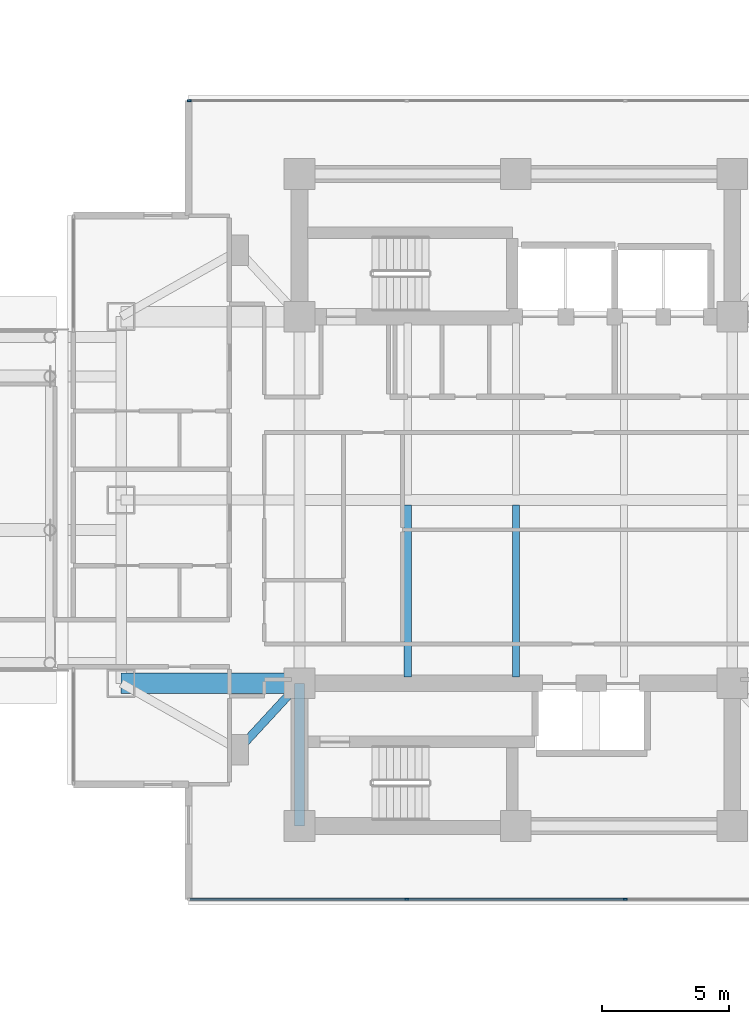
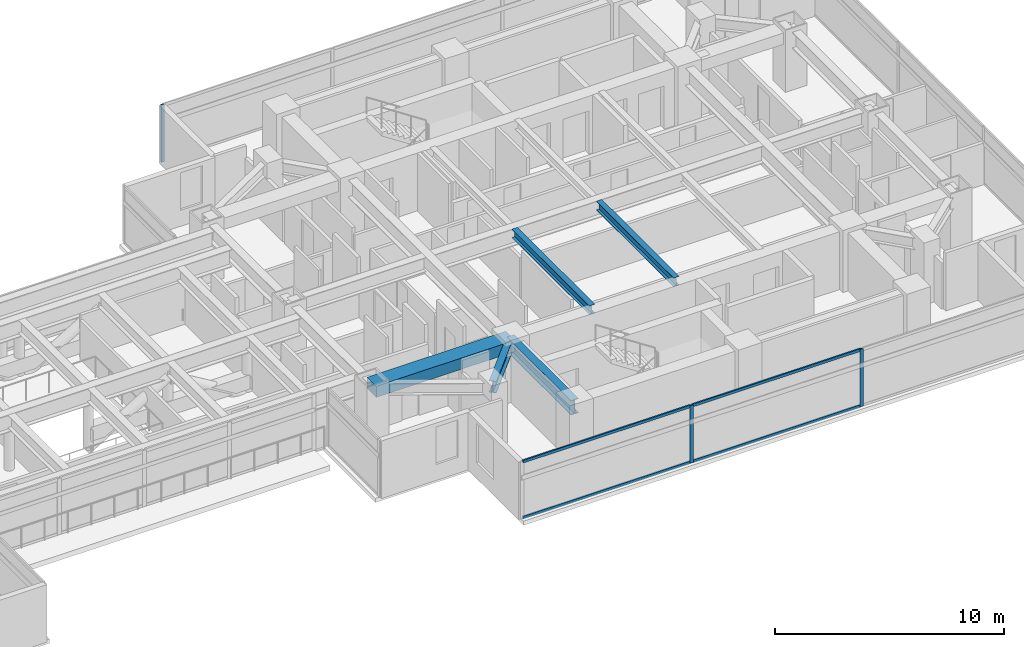
# One storey, part 8 of 28: 7 members, 5 beams, 2 elements without a shape of their own.
"""IFC4 building model written with IfcOpenShell, lengths in metres."""

from ifc_helpers import new_model, si_unit, direction, frame, origin, origin_2d, place, context, subcontext, project, spatial, rectangle, i_section, extrude, material, material_profile, profile_set, type_object, element, aggregate, save


model = new_model("IFC4")

# Units and contexts
model_context = context("Model", 3, precision=1e-05, world=origin(), true_north=direction((0.0, 1.0)))
body_context = subcontext(model_context, "Body", "Model", "MODEL_VIEW")
ifc_project = project(units=[si_unit("LENGTHUNIT", "METRE"), si_unit("AREAUNIT", "SQUARE_METRE"), si_unit("VOLUMEUNIT", "CUBIC_METRE"), si_unit("PLANEANGLEUNIT", "RADIAN"), si_unit("MASSUNIT", "GRAM", prefix="KILO")], contexts=[model_context])

# Site, building, storey
site_placement = place(None, origin())
site = spatial("IfcSite", under=ifc_project, at=site_placement, CompositionType="ELEMENT")
building_placement = place(site_placement, origin())
building = spatial("IfcBuilding", under=site, at=building_placement, Name="Mirazonda Arch Towers", CompositionType="ELEMENT")
storey_placement = place(building_placement, frame((0.0, 0.0, 91.699951171875)))
storey = spatial("IfcBuildingStorey", under=building, at=storey_placement, Name="L25", CompositionType="ELEMENT", Elevation=91.699951171875)

# Beams
ifc_material_1 = material(Name="Steel ASTM A992 Grade 50", Category="steel")
ifc_material_profile_1 = material_profile(ifc_material_1, i_section(OverallWidth=0.280029296875, OverallDepth=0.462890625, WebThickness=0.0107421875, FlangeThickness=0.017333984375, at=origin_2d()), Name="W18X76")
ifc_profile_set_1 = profile_set([ifc_material_profile_1], Name="Steel ASTM A992 Grade 50")
beam_type_1 = type_object("IfcBeamType", Name="BM-INT-W18X76", PredefinedType="JOIST", material=ifc_profile_set_1)
for number, where, z_axis, x_axis, name in (
    (1, (72.25, 21.0400390625, 2.8486328125), (0.0, 1.0, 0.0), (-1.0, 0.0, 0.0), "L25 Floor Beam BM-T2-L25-J-722-20"),
    (2, (76.5, 21.0400390625, 2.8486328125), (0.0, 1.0, 0.0), (-1.0, 0.0, 0.0), "L25 Floor Beam BM-T2-L25-J-765-20"),
):
    element("IfcBeam", number, at=place(storey_placement, frame(where, z_axis=z_axis, x_axis=x_axis)), inside=storey, type_object=beam_type_1, Name=name, PredefinedType="JOIST", context=body_context, shape_type="SweptSolid", body=[
        extrude(i_section(OverallWidth=0.280029296875, OverallDepth=0.462890625, WebThickness=0.0107421875, FlangeThickness=0.017333984375, at=origin_2d()), origin(), (0.0, 0.0, 1.0), 6.7548828125),
    ])
ifc_material_profile_2 = material_profile(ifc_material_1, i_section(OverallWidth=0.324951171875, OverallDepth=0.615966796875, WebThickness=0.013916015625, FlangeThickness=0.021484375, at=origin_2d()), Name="W24X117")
ifc_profile_set_2 = profile_set([ifc_material_profile_2], Name="Steel ASTM A992 Grade 50")
beam_type_2 = type_object("IfcBeamType", Name="BM-INT-W24X117", PredefinedType="BEAM", material=ifc_profile_set_2)
beam_1_placement = place(storey_placement, frame((65.60009765625, 18.199951171875, 2.77197265625), z_axis=(0.678251444854, 0.734829897019, 0.0), x_axis=(-0.734829897019, 0.678251444854, 0.0)))
element("IfcBeam", 3, at=beam_1_placement, inside=storey, type_object=beam_type_2, Name="L25 Floor Beam BM-T2-L25-PL-SW1", PredefinedType="BEAM", context=body_context, shape_type="SweptSolid", body=[
    extrude(i_section(OverallWidth=0.324951171875, OverallDepth=0.615966796875, WebThickness=0.013916015625, FlangeThickness=0.021484375, at=origin_2d()), origin(), (0.0, 0.0, 1.0), 3.538330078125),
])
ifc_material_profile_3 = material_profile(ifc_material_1, i_section(OverallWidth=0.381103515625, OverallDepth=0.77294921875, WebThickness=0.0166015625, FlangeThickness=0.027099609375, at=origin_2d()), Name="W30X173")
ifc_profile_set_3 = profile_set([ifc_material_profile_3], Name="Steel ASTM A992 Grade 50")
beam_type_3 = type_object("IfcBeamType", Name="BM-INT-W30X173", PredefinedType="USERDEFINED", material=ifc_profile_set_3)
beam_2_placement = place(storey_placement, frame((68.0, 15.199951171875, 2.693603515625), z_axis=(0.0, 1.0, 0.0), x_axis=(-1.0, 0.0, 0.0)))
element("IfcBeam", 4, at=beam_2_placement, inside=storey, type_object=beam_type_3, Name="L25 Floor Beam BM-T2-L25-CSW", ObjectType="GIRDER", PredefinedType="USERDEFINED", context=body_context, shape_type="SweptSolid", body=[
    extrude(i_section(OverallWidth=0.381103515625, OverallDepth=0.77294921875, WebThickness=0.0166015625, FlangeThickness=0.027099609375, at=origin_2d()), origin(), (0.0, 0.0, 1.0), 5.60009765625),
])
ifc_material_2 = material(Name="Concrete C60/75", Category="concrete")
ifc_material_profile_4 = material_profile(ifc_material_2, rectangle(XDim=0.800048828125, YDim=0.60009765625, at=origin_2d()), Name="RCCB800x600")
ifc_profile_set_4 = profile_set([ifc_material_profile_4], Name="Concrete C60/75")
beam_type_4 = type_object("IfcBeamType", Name="CB-INT-RCCB800x600", PredefinedType="SPANDREL", material=ifc_profile_set_4)
beam_3_placement = place(storey_placement, frame((61.0, 20.800048828125, 2.780029296875), z_axis=(1.0, 0.0, 0.0), x_axis=(0.0, 1.0, 0.0)))
element("IfcBeam", 5, at=beam_3_placement, inside=storey, type_object=beam_type_4, Name="L25 Floor Beam CBC-T2-L25-SW", PredefinedType="SPANDREL", context=body_context, shape_type="SweptSolid", body=[
    extrude(rectangle(XDim=0.800048828125, YDim=0.60009765625, at=origin_2d()), origin(), (0.0, 0.0, 1.0), 7.0),
])

# Curtain wall, members
ifc_material_3 = material(Name="Anodised Aluminium and Low-E Glass", Category="aluminium")
curtain_wall_type = type_object("IfcCurtainWallType", Name="CW-HTL-UNIT", PredefinedType="NOTDEFINED", material=ifc_material_3)
curtain_wall_1_placement = place(storey_placement, origin())
curtain_wall_1 = element("IfcCurtainWall", 6, at=curtain_wall_1_placement, inside=storey, type_object=curtain_wall_type, Name="L25 T2 S Facade CW-L25-T2-S", PredefinedType="NOTDEFINED")
ifc_material_4 = material(Name="Anodised Aluminium Alloy", Category="aluminium")
ifc_material_profile_5 = material_profile(ifc_material_4, rectangle(XDim=0.074951171875, YDim=0.1650390625, at=origin_2d()), Name="ALU-MULL-75x165")
ifc_profile_set_5 = profile_set([ifc_material_profile_5], Name="Anodised Aluminium Alloy")
member_type_1 = type_object("IfcMemberType", Name="MULL-CW-HTL-UNIT", PredefinedType="MULLION", material=ifc_profile_set_5)
member_1_placement = place(storey_placement, frame((80.7880859375, 12.319091796875, 0.0), z_axis=(0.0, 0.0, 1.0), x_axis=(0.0, -1.0, 0.0)))
member_1 = element("IfcMember", 7, at=member_1_placement, type_object=member_type_1, Name="CW-112 mullion 2", PredefinedType="MULLION", context=body_context, shape_type="SweptSolid", body=[
    extrude(rectangle(XDim=0.074951171875, YDim=0.1650390625, at=origin_2d()), origin(), (0.0, 0.0, 1.0), 3.06005859375),
])
member_2_placement = place(storey_placement, frame((72.2119140625, 12.319091796875, 0.0), z_axis=(0.0, 0.0, 1.0), x_axis=(0.0, -1.0, 0.0)))
member_2 = element("IfcMember", 8, at=member_2_placement, type_object=member_type_1, Name="CW-112 mullion 3", PredefinedType="MULLION", context=body_context, shape_type="SweptSolid", body=[
    extrude(rectangle(XDim=0.074951171875, YDim=0.1650390625, at=origin_2d()), origin(), (0.0, 0.0, 1.0), 3.06005859375),
])

# Curtain wall, member
curtain_wall_2_placement = place(storey_placement, origin())
curtain_wall_2 = element("IfcCurtainWall", 9, at=curtain_wall_2_placement, inside=storey, type_object=curtain_wall_type, Name="L25 T2 N Facade CW-L25-T2-N", PredefinedType="NOTDEFINED")
member_3_placement = place(storey_placement, frame((63.67333984375, 43.680908203125, 0.0), z_axis=(0.0, 0.0, 1.0), x_axis=(0.0, 1.0, 0.0)))
member_3 = element("IfcMember", 10, at=member_3_placement, type_object=member_type_1, Name="CW-112 mullion 1", PredefinedType="MULLION", context=body_context, shape_type="SweptSolid", body=[
    extrude(rectangle(XDim=0.074951171875, YDim=0.1650390625, at=origin_2d()), origin(), (0.0, 0.0, 1.0), 3.06005859375),
])
aggregate(curtain_wall_2, [member_3])

# Member
ifc_material_profile_6 = material_profile(ifc_material_4, rectangle(XDim=0.074951171875, YDim=0.14501953125, at=origin_2d()), Name="ALU-TRAN-75x145")
ifc_profile_set_6 = profile_set([ifc_material_profile_6], Name="Anodised Aluminium Alloy")
member_type_2 = type_object("IfcMemberType", Name="TRAN-CW-HTL-UNIT", PredefinedType="USERDEFINED", material=ifc_profile_set_6)
member_4_placement = place(storey_placement, frame((80.75048828125, 12.319091796875, 0.03759765625), z_axis=(-1.0, 0.0, 0.0), x_axis=(0.0, -1.0, 0.0)))
member_4 = element("IfcMember", 11, at=member_4_placement, type_object=member_type_2, Name="CW-112 transom 2.1", ObjectType="TRANSOM", PredefinedType="USERDEFINED", context=body_context, shape_type="SweptSolid", body=[
    extrude(rectangle(XDim=0.074951171875, YDim=0.14501953125, at=origin_2d()), origin(), (0.0, 0.0, 1.0), 8.5009765625),
])

member_5_placement = place(storey_placement, frame((80.75048828125, 12.319091796875, 3.0224609375), z_axis=(-1.0, 0.0, 0.0), x_axis=(0.0, -1.0, 0.0)))
member_5 = element("IfcMember", 12, at=member_5_placement, type_object=member_type_2, Name="CW-112 transom 2.2", ObjectType="TRANSOM", PredefinedType="USERDEFINED", context=body_context, shape_type="SweptSolid", body=[
    extrude(rectangle(XDim=0.074951171875, YDim=0.14501953125, at=origin_2d()), origin(), (0.0, 0.0, 1.0), 8.5009765625),
])

member_6_placement = place(storey_placement, frame((72.17431640625, 12.319091796875, 0.03759765625), z_axis=(-1.0, 0.0, 0.0), x_axis=(0.0, -1.0, 0.0)))
member_6 = element("IfcMember", 13, at=member_6_placement, type_object=member_type_2, Name="CW-112 transom 3.1", ObjectType="TRANSOM", PredefinedType="USERDEFINED", context=body_context, shape_type="SweptSolid", body=[
    extrude(rectangle(XDim=0.074951171875, YDim=0.14501953125, at=origin_2d()), origin(), (0.0, 0.0, 1.0), 8.463623046875),
])

member_7_placement = place(storey_placement, frame((72.17431640625, 12.319091796875, 3.0224609375), z_axis=(-1.0, 0.0, 0.0), x_axis=(0.0, -1.0, 0.0)))
member_7 = element("IfcMember", 14, at=member_7_placement, type_object=member_type_2, Name="CW-112 transom 3.2", ObjectType="TRANSOM", PredefinedType="USERDEFINED", context=body_context, shape_type="SweptSolid", body=[
    extrude(rectangle(XDim=0.074951171875, YDim=0.14501953125, at=origin_2d()), origin(), (0.0, 0.0, 1.0), 8.463623046875),
])

aggregate(curtain_wall_1, [member_1, member_2, member_4, member_5, member_6, member_7])

save(model, "model.ifc")
